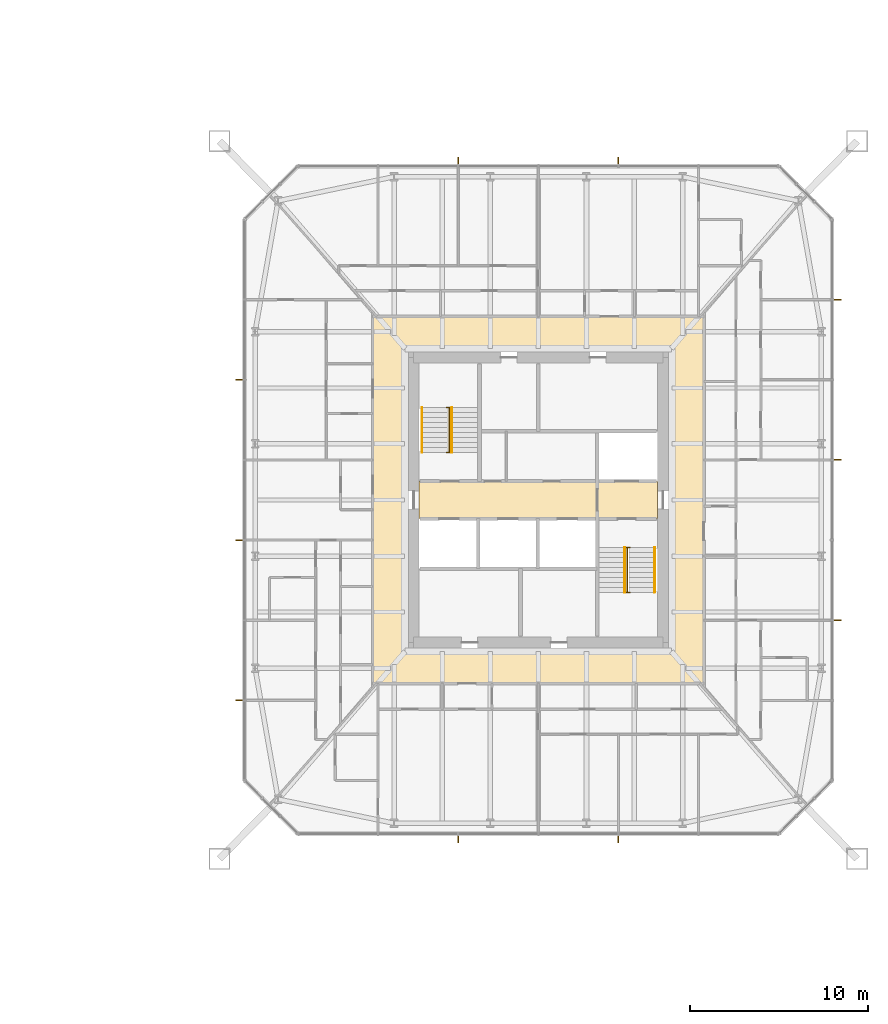
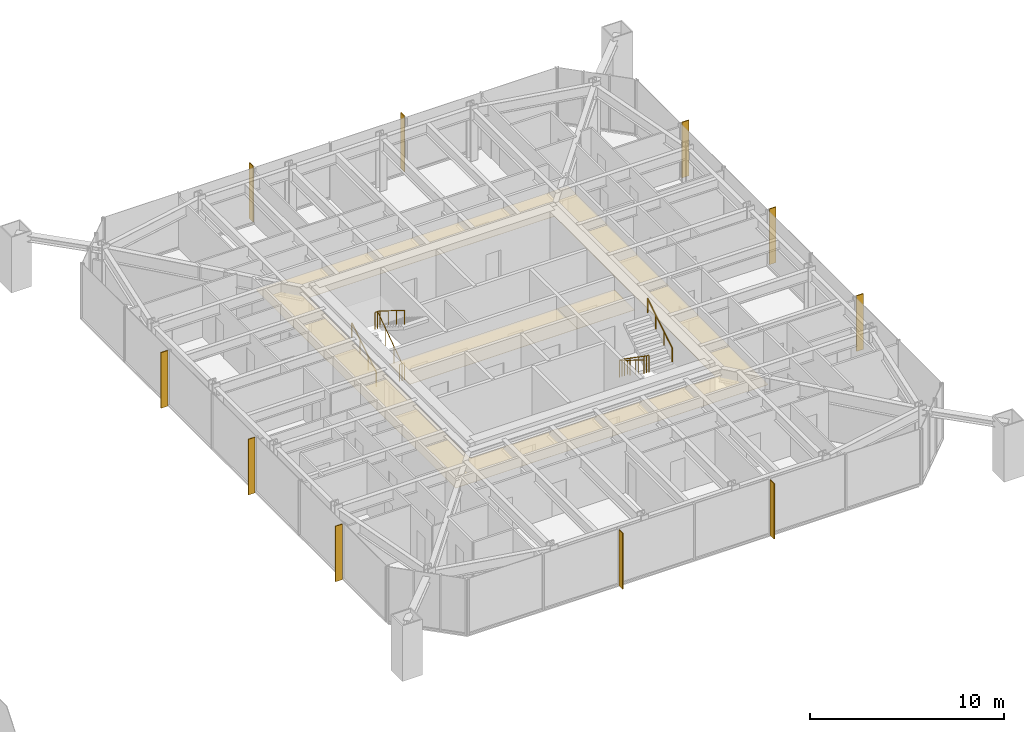
# One storey, part 26 of 26: 10 shading devices, 6 railings, 3 coverings.
"""IFC4 building model written with IfcOpenShell, lengths in metres."""

from ifc_helpers import new_model, si_unit, direction, frame, origin, origin_2d, place, context, subcontext, project, spatial, polyline, rectangle, circle, outline, extrude, material, layer, layer_set, constituent, constituent_set, type_object, element, save


model = new_model("IFC4")

# Units and contexts
model_context = context("Model", 3, precision=1e-05, world=origin(), true_north=direction((0.0, 1.0)))
body_context = subcontext(model_context, "Body", "Model", "MODEL_VIEW")
ifc_project = project(units=[si_unit("LENGTHUNIT", "METRE"), si_unit("AREAUNIT", "SQUARE_METRE"), si_unit("VOLUMEUNIT", "CUBIC_METRE"), si_unit("PLANEANGLEUNIT", "RADIAN"), si_unit("MASSUNIT", "GRAM", prefix="KILO")], contexts=[model_context])

# Site, building, storey
site_placement = place(None, origin())
site = spatial("IfcSite", under=ifc_project, at=site_placement, CompositionType="ELEMENT")
building_placement = place(site_placement, origin())
building = spatial("IfcBuilding", under=site, at=building_placement, Name="Iwan Alto Co-Living Towers", CompositionType="ELEMENT")
storey_placement = place(building_placement, frame((0.0, 0.0, 46.5)))
storey = spatial("IfcBuildingStorey", under=building, at=storey_placement, Name="L12", CompositionType="ELEMENT", Elevation=46.5)

# Coverings
ifc_material_1 = material(Name="Mineral fibre acoustic tiles on steel grid", Category="steel")
ifc_layer_1 = layer(ifc_material_1, 0.02001953125)
ifc_layer_set_1 = layer_set([ifc_layer_1], Name="ACOUSTIC TILE CEILING 20")
covering_type_1 = type_object("IfcCoveringType", Name="ACOUSTIC TILE CEILING 20", PredefinedType="CEILING", material=ifc_layer_set_1)
covering_1_placement = place(storey_placement, frame((0.0, 0.0, 2.60009765625)))
element("IfcCovering", 1, at=covering_1_placement, inside=storey, type_object=covering_type_1, Name="Ceiling Lift lobby L12", PredefinedType="CEILING", context=body_context, shape_type="SweptSolid", body=[
    extrude(outline(polyline([(56.300048828125, -1.050048828125), (56.300048828125, 1.050048828125), (66.300048828125, 1.050048828125), (66.300048828125, -1.050048828125), (56.300048828125, -1.050048828125)])), origin(), (0.0, 0.0, 1.0), 0.02001953125),
])
covering_2_placement = place(storey_placement, frame((0.0, 0.0, 2.60009765625)))
element("IfcCovering", 2, at=covering_2_placement, inside=storey, type_object=covering_type_1, Name="Ceiling Firefighting lobby L12", PredefinedType="CEILING", context=body_context, shape_type="SweptSolid", body=[
    extrude(outline(polyline([(66.300048828125, -1.050048828125), (66.300048828125, 1.050048828125), (69.699951171875, 1.050048828125), (69.699951171875, -1.050048828125), (66.300048828125, -1.050048828125)])), origin(), (0.0, 0.0, 1.0), 0.02001953125),
])

# Shading devices
ifc_material_2 = material(Name="Aluminium 6063-T6 bronze anodised", Category="aluminium")
ifc_layer_2 = layer(ifc_material_2, 0.050048828125)
ifc_layer_set_2 = layer_set([ifc_layer_2], Name="BRONZE FIN 50X400")
shading_device_type = type_object("IfcShadingDeviceType", Name="BRONZE FIN 50X400", PredefinedType="USERDEFINED", material=ifc_layer_set_2)
for number, where, z_axis, x_axis, name in (
    (3, (58.5, -19.050048828125, 0.0), (0.0, 0.0, 1.0), (1.0, 0.0, 0.0), "Bronze fin L12"),
    (4, (67.5, -19.050048828125, 0.0), (0.0, 0.0, 1.0), (1.0, 0.0, 0.0), "Bronze fin L12"),
    (5, (79.800048828125, -6.75, 0.0), (0.0, 0.0, 1.0), (0.0, 1.0, 0.0), "Bronze fin L12"),
    (6, (79.800048828125, 2.25, 0.0), (0.0, 0.0, 1.0), (0.0, 1.0, 0.0), "Bronze fin L12"),
    (7, (79.800048828125, 11.25, 0.0), (0.0, 0.0, 1.0), (0.0, 1.0, 0.0), "Bronze fin L12"),
    (8, (67.5, 19.050048828125, 0.0), (0.0, 0.0, 1.0), (-1.0, 0.0, 0.0), "Bronze fin L12"),
    (9, (58.5, 19.050048828125, 0.0), (0.0, 0.0, 1.0), (-1.0, 0.0, 0.0), "Bronze fin L12"),
    (10, (46.199951171875, 6.75, 0.0), (0.0, 0.0, 1.0), (0.0, -1.0, 0.0), "Bronze fin L12"),
    (11, (46.199951171875, -2.25, 0.0), (0.0, 0.0, 1.0), (0.0, -1.0, 0.0), "Bronze fin L12"),
    (12, (46.199951171875, -11.25, 0.0), (0.0, 0.0, 1.0), (0.0, -1.0, 0.0), "Bronze fin L12"),
):
    element("IfcShadingDevice", number, at=place(storey_placement, frame(where, z_axis=z_axis, x_axis=x_axis)), inside=storey, type_object=shading_device_type, Name=name, ObjectType="LOUVER", PredefinedType="USERDEFINED", context=body_context, shape_type="SweptSolid", body=[
        extrude(rectangle(XDim=0.050048828125, YDim=0.39990234375, at=origin_2d()), origin(), (0.0, 0.0, 1.0), 3.5),
    ])

# Railings
ifc_material_3 = material(Name="Steel ASTM A500 Gr C", Category="steel")
ifc_constituent_1 = constituent(ifc_material_3, Name="Rails and posts", Category="Framing")
ifc_material_4 = material(Name="Steel ASTM A36", Category="steel")
ifc_constituent_2 = constituent(ifc_material_4, Name="Bar infill", Category="Infill")
ifc_constituent_set = constituent_set(constituents=[ifc_constituent_1, ifc_constituent_2], Name="STAIR GUARD 1100")
railing_type_1 = type_object("IfcRailingType", Name="STAIR GUARD 1100", PredefinedType="GUARDRAIL", material=ifc_constituent_set)
railing_1_placement = place(storey_placement, frame((58.0, 2.669921875, 0.0)))
element("IfcRailing", 13, at=railing_1_placement, inside=storey, type_object=railing_type_1, Name="Stair T2-S1 well guard L12", PredefinedType="GUARDRAIL", context=body_context, shape_type="SweptSolid", body=[
    extrude(circle(Radius=0.02392578125, at=origin_2d()), frame((0.0, 0.0, 1.076171875), z_axis=(0.0, 0.821372036852, 0.570392826987), x_axis=(-1.0, 0.0, 0.0)), (0.0, 0.0, 1.0), 3.068115234375),
    extrude(circle(Radius=0.02392578125, at=origin_2d()), frame((-0.14990234375, 0.0, 1.076171875), z_axis=(1.0, 0.0, 0.0), x_axis=(0.0, 1.0, 0.0)), (0.0, 0.0, 1.0), 0.2998046875),
    extrude(circle(Radius=0.02392578125, at=origin_2d()), frame((-0.14990234375, 2.52001953125, 2.826171875), z_axis=(1.0, 0.0, 0.0), x_axis=(0.0, 1.0, 0.0)), (0.0, 0.0, 1.0), 0.2998046875),
    extrude(circle(Radius=0.02099609375, at=origin_2d()), origin(), (0.0, 0.0, 1.0), 1.052001953125),
    extrude(circle(Radius=0.02099609375, at=origin_2d()), frame((0.0, 0.840087890625, 0.583251953125)), (0.0, 0.0, 1.0), 1.052001953125),
    extrude(circle(Radius=0.02099609375, at=origin_2d()), frame((0.0, 1.679931640625, 1.166748046875)), (0.0, 0.0, 1.0), 1.052001953125),
    extrude(circle(Radius=0.02099609375, at=origin_2d()), frame((0.0, 2.52001953125, 1.75)), (0.0, 0.0, 1.0), 1.052001953125),
    extrude(circle(Radius=0.02099609375, at=origin_2d()), frame((-0.14990234375, 0.0, 0.0)), (0.0, 0.0, 1.0), 1.052001953125),
    extrude(circle(Radius=0.02099609375, at=origin_2d()), frame((0.14990234375, 0.0, 0.0)), (0.0, 0.0, 1.0), 1.052001953125),
    extrude(circle(Radius=0.02099609375, at=origin_2d()), frame((-0.14990234375, 2.52001953125, 1.75)), (0.0, 0.0, 1.0), 1.052001953125),
    extrude(circle(Radius=0.02099609375, at=origin_2d()), frame((0.14990234375, 2.52001953125, 1.75)), (0.0, 0.0, 1.0), 1.052001953125),
])
railing_2_placement = place(storey_placement, frame((68.0, -2.669921875, 0.0)))
element("IfcRailing", 14, at=railing_2_placement, inside=storey, type_object=railing_type_1, Name="Stair T2-S2 well guard L12", PredefinedType="GUARDRAIL", context=body_context, shape_type="SweptSolid", body=[
    extrude(circle(Radius=0.02392578125, at=origin_2d()), frame((0.0, 0.0, 1.076171875), z_axis=(0.0, -0.821372036852, 0.570392826987), x_axis=(1.0, 0.0, 0.0)), (0.0, 0.0, 1.0), 3.068115234375),
    extrude(circle(Radius=0.02392578125, at=origin_2d()), frame((-0.14990234375, 0.0, 1.076171875), z_axis=(1.0, 0.0, 0.0), x_axis=(0.0, 1.0, 0.0)), (0.0, 0.0, 1.0), 0.2998046875),
    extrude(circle(Radius=0.02392578125, at=origin_2d()), frame((-0.14990234375, -2.52001953125, 2.826171875), z_axis=(1.0, 0.0, 0.0), x_axis=(0.0, 1.0, 0.0)), (0.0, 0.0, 1.0), 0.2998046875),
    extrude(circle(Radius=0.02099609375, at=origin_2d()), origin(), (0.0, 0.0, 1.0), 1.052001953125),
    extrude(circle(Radius=0.02099609375, at=origin_2d()), frame((0.0, -0.840087890625, 0.583251953125)), (0.0, 0.0, 1.0), 1.052001953125),
    extrude(circle(Radius=0.02099609375, at=origin_2d()), frame((0.0, -1.679931640625, 1.166748046875)), (0.0, 0.0, 1.0), 1.052001953125),
    extrude(circle(Radius=0.02099609375, at=origin_2d()), frame((0.0, -2.52001953125, 1.75)), (0.0, 0.0, 1.0), 1.052001953125),
    extrude(circle(Radius=0.02099609375, at=origin_2d()), frame((-0.14990234375, 0.0, 0.0)), (0.0, 0.0, 1.0), 1.052001953125),
    extrude(circle(Radius=0.02099609375, at=origin_2d()), frame((0.14990234375, 0.0, 0.0)), (0.0, 0.0, 1.0), 1.052001953125),
    extrude(circle(Radius=0.02099609375, at=origin_2d()), frame((-0.14990234375, -2.52001953125, 1.75)), (0.0, 0.0, 1.0), 1.052001953125),
    extrude(circle(Radius=0.02099609375, at=origin_2d()), frame((0.14990234375, -2.52001953125, 1.75)), (0.0, 0.0, 1.0), 1.052001953125),
])
ifc_material_5 = material(Name="Steel ASTM A500 Gr C", Category="steel")
railing_type_2 = type_object("IfcRailingType", Name="STAIR HANDRAIL 900", PredefinedType="HANDRAIL", material=ifc_material_5)
railing_3_placement = place(storey_placement, frame((56.469970703125, 2.669921875, 0.175048828125)))
element("IfcRailing", 15, at=railing_3_placement, inside=storey, type_object=railing_type_2, Name="Stair T2-S1 handrail 1 L12", PredefinedType="HANDRAIL", context=body_context, shape_type="SweptSolid", body=[
    extrude(circle(Radius=0.02392578125, at=origin_2d()), frame((0.0, 0.0, 0.8759765625), z_axis=(0.0, 0.848007534815, 0.529984170421), x_axis=(-1.0, 0.0, 0.0)), (0.0, 0.0, 1.0), 2.9716796875),
    extrude(circle(Radius=0.02099609375, at=origin_2d()), origin(), (0.0, 0.0, 1.0), 0.851806640625),
    extrude(circle(Radius=0.02099609375, at=origin_2d()), frame((0.0, 0.840087890625, 0.52490234375)), (0.0, 0.0, 1.0), 0.851806640625),
    extrude(circle(Radius=0.02099609375, at=origin_2d()), frame((0.0, 1.679931640625, 1.050048828125)), (0.0, 0.0, 1.0), 0.851806640625),
    extrude(circle(Radius=0.02099609375, at=origin_2d()), frame((0.0, 2.52001953125, 1.574951171875)), (0.0, 0.0, 1.0), 0.851806640625),
])
for number, where, name in (
    (16, (58.14990234375, 5.18994140625, 1.925048828125), "Stair T2-S1 handrail 2 L12"),
    (17, (67.85009765625, -2.669921875, 0.175048828125), "Stair T2-S2 handrail 1 L12"),
):
    element("IfcRailing", number, at=place(storey_placement, frame(where)), inside=storey, type_object=railing_type_2, Name=name, PredefinedType="HANDRAIL", context=body_context, shape_type="SweptSolid", body=[
        extrude(circle(Radius=0.02392578125, at=origin_2d()), frame((0.0, 0.0, 0.8759765625), z_axis=(0.0, -0.848007534815, 0.529984170421), x_axis=(1.0, 0.0, 0.0)), (0.0, 0.0, 1.0), 2.9716796875),
        extrude(circle(Radius=0.02099609375, at=origin_2d()), origin(), (0.0, 0.0, 1.0), 0.851806640625),
        extrude(circle(Radius=0.02099609375, at=origin_2d()), frame((0.0, -0.840087890625, 0.52490234375)), (0.0, 0.0, 1.0), 0.851806640625),
        extrude(circle(Radius=0.02099609375, at=origin_2d()), frame((0.0, -1.679931640625, 1.050048828125)), (0.0, 0.0, 1.0), 0.851806640625),
        extrude(circle(Radius=0.02099609375, at=origin_2d()), frame((0.0, -2.52001953125, 1.574951171875)), (0.0, 0.0, 1.0), 0.851806640625),
    ])
railing_4_placement = place(storey_placement, frame((69.530029296875, -5.18994140625, 1.925048828125)))
element("IfcRailing", 18, at=railing_4_placement, inside=storey, type_object=railing_type_2, Name="Stair T2-S2 handrail 2 L12", PredefinedType="HANDRAIL", context=body_context, shape_type="SweptSolid", body=[
    extrude(circle(Radius=0.02392578125, at=origin_2d()), frame((0.0, 0.0, 0.8759765625), z_axis=(0.0, 0.848007534815, 0.529984170421), x_axis=(-1.0, 0.0, 0.0)), (0.0, 0.0, 1.0), 2.9716796875),
    extrude(circle(Radius=0.02099609375, at=origin_2d()), origin(), (0.0, 0.0, 1.0), 0.851806640625),
    extrude(circle(Radius=0.02099609375, at=origin_2d()), frame((0.0, 0.840087890625, 0.52490234375)), (0.0, 0.0, 1.0), 0.851806640625),
    extrude(circle(Radius=0.02099609375, at=origin_2d()), frame((0.0, 1.679931640625, 1.050048828125)), (0.0, 0.0, 1.0), 0.851806640625),
    extrude(circle(Radius=0.02099609375, at=origin_2d()), frame((0.0, 2.52001953125, 1.574951171875)), (0.0, 0.0, 1.0), 0.851806640625),
])

# Covering
ifc_material_6 = material(Name="Gypsum plasterboard on steel grid", Category="steel")
ifc_layer_3 = layer(ifc_material_6, 0.014892578125)
ifc_layer_set_3 = layer_set([ifc_layer_3], Name="SUSPENDED PLASTERBOARD CEILING 15")
covering_type_2 = type_object("IfcCoveringType", Name="SUSPENDED PLASTERBOARD CEILING 15", PredefinedType="CEILING", material=ifc_layer_set_3)
covering_3_placement = place(storey_placement, frame((0.0, 0.0, 2.60009765625)))
element("IfcCovering", 19, at=covering_3_placement, inside=storey, type_object=covering_type_2, Name="Ceiling Corridor L12", PredefinedType="CEILING", context=body_context, shape_type="SweptSolid", body=[
    extrude(outline(polyline([(53.699951171875, 10.300048828125), (72.300048828125, 10.300048828125), (72.300048828125, -10.300048828125), (53.699951171875, -10.300048828125), (53.699951171875, 10.300048828125)]), holes=[polyline([(55.699951171875, 8.300048828125), (55.699951171875, -8.300048828125), (70.300048828125, -8.300048828125), (70.300048828125, 8.300048828125), (55.699951171875, 8.300048828125)])]), origin(), (0.0, 0.0, 1.0), 0.014892578125),
])

save(model, "model.ifc")
